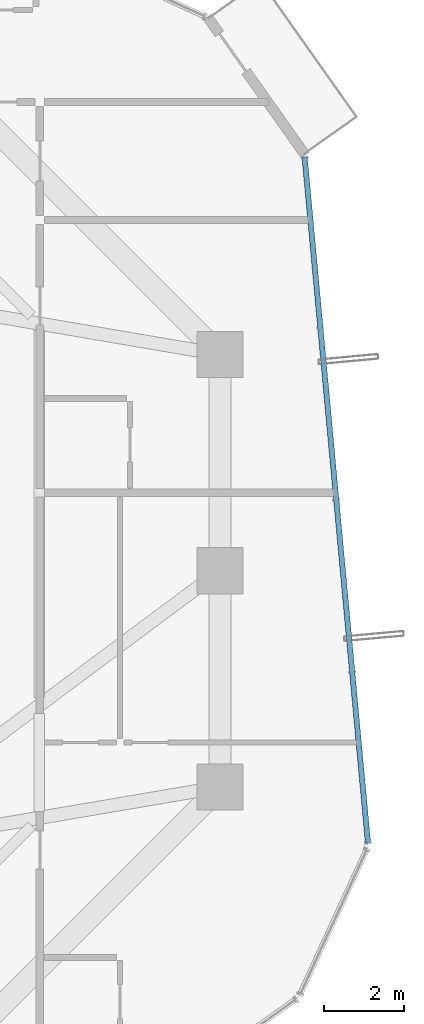
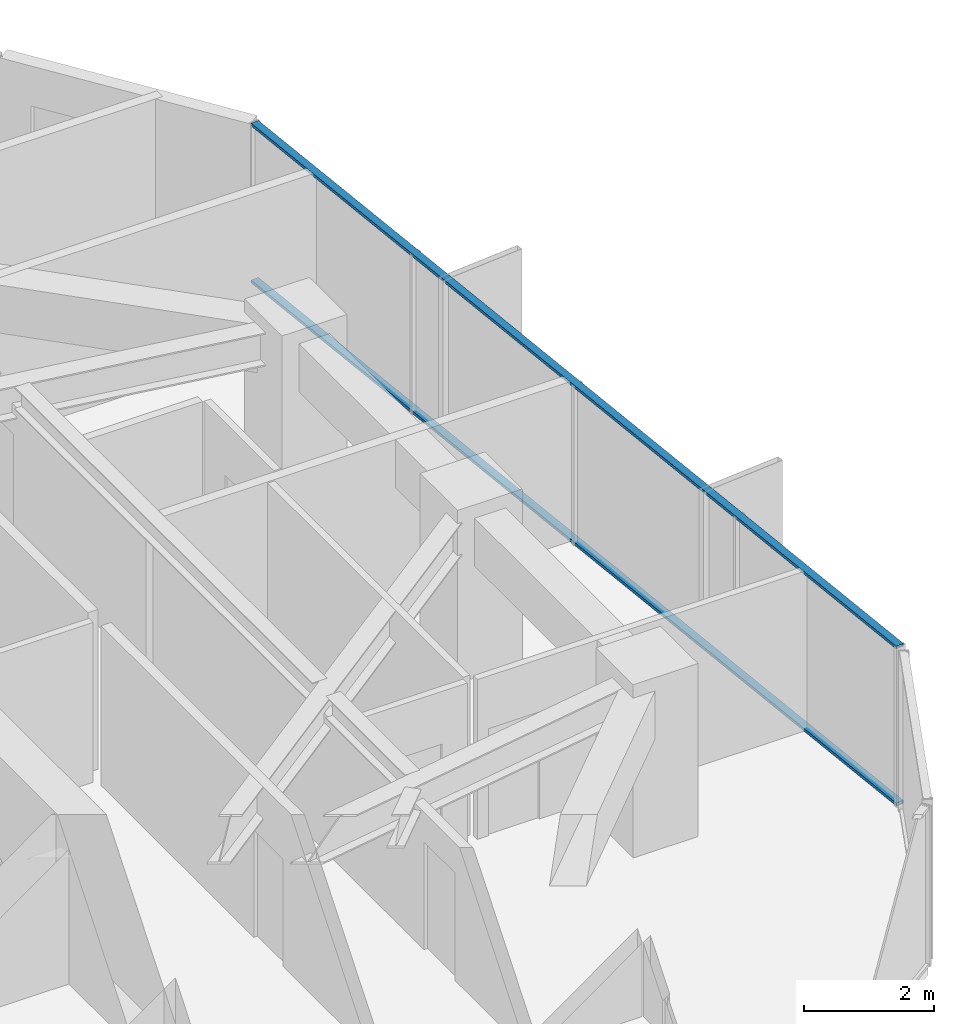
# One storey, part 17 of 33: 2 members, 1 element without a shape of its own.
"""IFC4 building model written with IfcOpenShell, lengths in metres."""

from ifc_helpers import new_model, si_unit, direction, frame, origin, origin_2d, place, context, subcontext, project, spatial, hollow_rectangle, extrude, source, transform, mapped, material, layer, layer_set, material_profile, profile_set, type_object, element, aggregate, save


model = new_model("IFC4")

# Units and contexts
model_context = context("Model", 3, precision=1e-05, world=origin(), true_north=direction((0.0, 1.0)))
body_context = subcontext(model_context, "Body", "Model", "MODEL_VIEW")
ifc_project = project(units=[si_unit("LENGTHUNIT", "METRE"), si_unit("AREAUNIT", "SQUARE_METRE"), si_unit("VOLUMEUNIT", "CUBIC_METRE"), si_unit("PLANEANGLEUNIT", "RADIAN"), si_unit("MASSUNIT", "GRAM", prefix="KILO")], contexts=[model_context])

# Site, building, storey
site_placement = place(None, origin())
site = spatial("IfcSite", under=ifc_project, at=site_placement, CompositionType="ELEMENT")
building_placement = place(site_placement, origin())
building = spatial("IfcBuilding", under=site, at=building_placement, Name="Veraguas Prism Commons", CompositionType="ELEMENT")
storey_placement = place(building_placement, frame((0.0, 0.0, 145.75)))
storey = spatial("IfcBuildingStorey", under=building, at=storey_placement, Name="L41", CompositionType="ELEMENT", Elevation=145.75)

# Curtain wall, members
ifc_material = material(Name="Anodised aluminium EN AW-6063 T6", Category="aluminium")
ifc_layer = layer(ifc_material, 0.169921875, Name="Unitised Flush Curtain Wall Zone 2", Category="aluminium")
ifc_layer_set = layer_set([ifc_layer], Name="Anodised aluminium EN AW-6063 T6")
curtain_wall_type = type_object("IfcCurtainWallType", Name="Unitised Flush Curtain Wall Zone 2", PredefinedType="NOTDEFINED", material=ifc_layer_set)
curtain_wall_placement = place(storey_placement, origin())
curtain_wall = element("IfcCurtainWall", 1, at=curtain_wall_placement, inside=storey, type_object=curtain_wall_type, Name="Tower Facade Curtain Wall L41-F6", PredefinedType="NOTDEFINED")
ifc_material_profile = material_profile(ifc_material, hollow_rectangle(XDim=0.054931640625, YDim=0.135009765625, WallThickness=0.0029296875, at=origin_2d()), Name="AL55X135X3")
ifc_profile_set = profile_set([ifc_material_profile], Name="Anodised aluminium EN AW-6063 T6")
member_type = type_object("IfcMemberType", Name="Curtain Wall Transom Standard AL 55x135x3", PredefinedType="USERDEFINED", material=ifc_profile_set)
shared_shape = source(origin(), body_context, "Body", "SweptSolid", [
    extrude(hollow_rectangle(XDim=0.054931640625, YDim=0.135009765625, WallThickness=0.0029296875, at=origin_2d()), origin(), (0.0, 0.0, 1.0), 17.174560546875),
])
member_1_placement = place(storey_placement, frame((43.891357421875, 17.21435546875, 0.027587890625), z_axis=(-0.092030119241, 0.995756223758, 0.0), x_axis=(0.0, 0.0, 1.0)))
member_1 = element("IfcMember", 2, at=member_1_placement, type_object=member_type, Name="CW-Z2 Transom 1", ObjectType="TRANSOM", PredefinedType="USERDEFINED", context=body_context, shape_type="MappedRepresentation", body=[
    mapped(shared_shape, transform((0.0, 0.0, 0.0), scale=1.0)),
])
member_2_placement = place(storey_placement, frame((43.891357421875, 17.21435546875, 2.972412109375), z_axis=(-0.092030119241, 0.995756223758, 0.0), x_axis=(0.0, 0.0, 1.0)))
member_2 = element("IfcMember", 3, at=member_2_placement, type_object=member_type, Name="CW-Z2 Transom 2", ObjectType="TRANSOM", PredefinedType="USERDEFINED", context=body_context, shape_type="MappedRepresentation", body=[
    mapped(shared_shape, transform((0.0, 0.0, 0.0), scale=1.0)),
])
aggregate(curtain_wall, [member_1, member_2])

save(model, "model.ifc")
